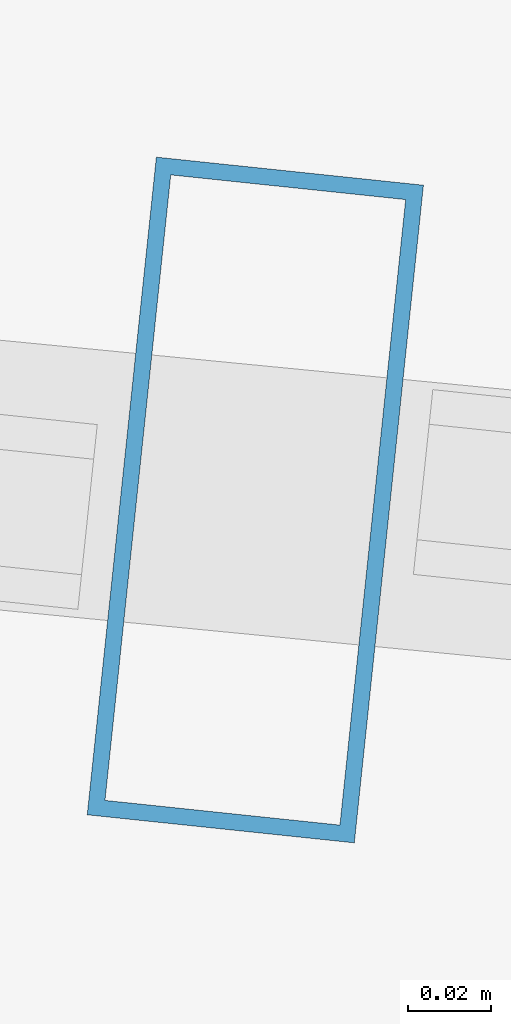
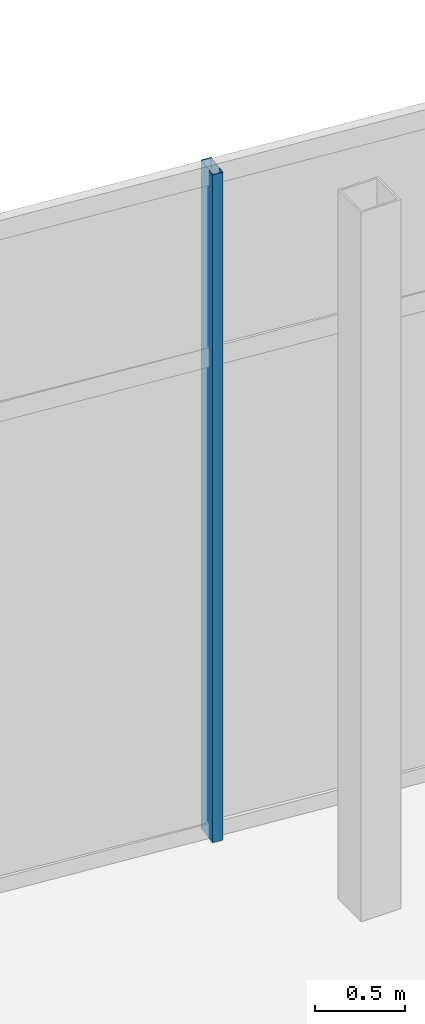
# One storey, part 97 of 157: 1 member, 1 element without a shape of its own.
"""IFC4 building model written with IfcOpenShell, lengths in metres."""

import ifcopenshell
import ifcopenshell.guid

model = None  # the IFC model being written
_history = None  # IfcOwnerHistory: only IFC2X3 demands one
_inside = {}  # id of a spatial element -> (the spatial element, [elements in it])
_under = {}  # id of a project, library or spatial element -> (it, [spatial elements below it])
_declared = {}  # id of a project -> (the project, [libraries it declares])
_typed = {}  # id of a type object -> (the type object, [elements of that type])
_made_of = {}  # id of a material, layer set ... -> (it, [elements and type objects made of it])


def new_model(schema):
    """Start an empty IFC model of exactly this schema.

    Asked for "IFC4X3", IfcOpenShell would pick the latest addendum, in which some entities
    have other attributes; the version numbers below select the first issue.
    IFC2X3 requires an IfcOwnerHistory on every rooted entity: one is made here for all.
    """
    global model, _history
    if schema == "IFC4X3":
        model = ifcopenshell.file(schema_version=(4, 3, 0, 0))
    else:
        model = ifcopenshell.file(schema=schema)
    _inside.clear()
    _under.clear()
    _declared.clear()
    _typed.clear()
    _made_of.clear()
    _history = None
    if model.schema == "IFC2X3":
        org = make("IfcOrganization", Name="unknown")
        user = make(
            "IfcPersonAndOrganization",
            ThePerson=make("IfcPerson", FamilyName="unknown"),
            TheOrganization=org,
        )
        app = make(
            "IfcApplication",
            ApplicationDeveloper=org,
            Version="unknown",
            ApplicationFullName="unknown",
            ApplicationIdentifier="unknown",
        )
        _history = make(
            "IfcOwnerHistory",
            OwningUser=user,
            OwningApplication=app,
            ChangeAction="ADDED",
            CreationDate=0,
        )
    return model


def make(cls, **values):
    """One entity of the class cls with the attributes given. An attribute that is None is left unset."""
    return model.create_entity(
        cls, **{name: value for name, value in values.items() if value is not None}
    )


def rooted(cls, **values):
    """An entity with a GlobalId (a new one), such as an element, a storey or a relation."""
    return make(cls, GlobalId=ifcopenshell.guid.new(), OwnerHistory=_history, **values)


def si_unit(unit_type, name, prefix=None):
    """IfcSIUnit, for example si_unit("LENGTHUNIT", "METRE", prefix="MILLI")."""
    return make("IfcSIUnit", UnitType=unit_type, Prefix=prefix, Name=name)


def assignment(units):
    """IfcUnitAssignment: the units of a project."""
    return None if units is None else make("IfcUnitAssignment", Units=units)


def point(xyz):
    """IfcCartesianPoint."""
    return None if xyz is None else make("IfcCartesianPoint", Coordinates=xyz)


def direction(xyz):
    """IfcDirection."""
    return None if xyz is None else make("IfcDirection", DirectionRatios=xyz)


def frame(location, z_axis=None, x_axis=None):
    """IfcAxis2Placement3D, a coordinate frame: its origin and axes. An axis left out is left unset."""
    return make(
        "IfcAxis2Placement3D",
        Location=point(location),
        Axis=direction(z_axis),
        RefDirection=direction(x_axis),
    )


def frame_2d(location, x_axis=None):
    """IfcAxis2Placement2D, a coordinate frame in the plane: its origin and x axis."""
    return make(
        "IfcAxis2Placement2D", Location=point(location), RefDirection=direction(x_axis)
    )


def origin():
    """The frame at (0, 0, 0) with its axes left unset."""
    return frame((0.0, 0.0, 0.0))


def origin_2d():
    """The frame at (0, 0) in the plane with its x axis left unset."""
    return frame_2d((0.0, 0.0))


def place(relative_to, where):
    """IfcLocalPlacement: puts the frame where relative to a parent placement (None: the world)."""
    return make(
        "IfcLocalPlacement", PlacementRelTo=relative_to, RelativePlacement=where
    )


def context(
    kind, dimensions, precision=None, world=None, true_north=None, identifier=None
):
    """IfcGeometricRepresentationContext, for example the 3D "Model" context."""
    return make(
        "IfcGeometricRepresentationContext",
        ContextIdentifier=identifier,
        ContextType=kind,
        CoordinateSpaceDimension=dimensions,
        Precision=precision,
        WorldCoordinateSystem=world,
        TrueNorth=true_north,
    )


def subcontext(parent, identifier, kind, view, scale=None):
    """IfcGeometricRepresentationSubContext, for example "Body" below "Model"."""
    return make(
        "IfcGeometricRepresentationSubContext",
        ContextIdentifier=identifier,
        ContextType=kind,
        ParentContext=parent,
        TargetScale=scale,
        TargetView=view,
    )


def project(units=None, contexts=None):
    """IfcProject with its units and contexts."""
    return rooted(
        "IfcProject",
        Name="project",
        RepresentationContexts=contexts,
        UnitsInContext=assignment(units),
    )


def spatial(cls, under=None, at=None, **own):
    """A site, building, storey or space (cls), placed at a placement, below another one or the project."""
    s = rooted(cls, ObjectPlacement=at, **own)
    if under is not None:
        _under.setdefault(under.id(), (under, []))[1].append(s)
    return s


def profile(cls, at=None, kind="AREA", **sizes):
    """A parametric profile (cls). Its sizes go by their IFC names, for example OverallWidth=200.0."""
    return make(cls, ProfileType=kind, Position=at, **sizes)


def hollow_rectangle(**sizes):
    """IfcRectangleHollowProfileDef."""
    return profile("IfcRectangleHollowProfileDef", **sizes)


def extrude(swept, where, along, depth):
    """IfcExtrudedAreaSolid: the profile swept, set in the frame where, extruded along a direction by depth."""
    return make(
        "IfcExtrudedAreaSolid",
        SweptArea=swept,
        Position=where,
        ExtrudedDirection=direction(along),
        Depth=depth,
    )


def shape(context_of_items, identifier, shape_type, items):
    """IfcShapeRepresentation: the items that make up one representation, for example the "Body"."""
    return make(
        "IfcShapeRepresentation",
        ContextOfItems=context_of_items,
        RepresentationIdentifier=identifier,
        RepresentationType=shape_type,
        Items=items,
    )


def material(Name=None, Category=None):
    """IfcMaterial."""
    return make("IfcMaterial", Name=Name, Category=Category)


def layer(
    of_material, thickness, ventilated=None, Name=None, Category=None, Priority=None
):
    """IfcMaterialLayer: one layer of a wall or slab, of a material (None: an air gap)."""
    return make(
        "IfcMaterialLayer",
        Material=of_material,
        LayerThickness=thickness,
        IsVentilated=ventilated,
        Name=Name,
        Category=Category,
        Priority=Priority,
    )


def layer_set(layers, Name=None):
    """IfcMaterialLayerSet."""
    return make("IfcMaterialLayerSet", MaterialLayers=layers, LayerSetName=Name)


def material_profile(
    of_material, cross_section, Name=None, Category=None, Priority=None
):
    """IfcMaterialProfile: a cross section and its material."""
    return make(
        "IfcMaterialProfile",
        Name=Name,
        Material=of_material,
        Profile=cross_section,
        Priority=Priority,
        Category=Category,
    )


def profile_set(profiles, Name=None, composite=None):
    """IfcMaterialProfileSet."""
    return make(
        "IfcMaterialProfileSet",
        Name=Name,
        MaterialProfiles=profiles,
        CompositeProfile=composite,
    )


def made_of(thing, what):
    """Note that an element or type object is made of a material, layer set ...; save() writes the relation."""
    if what is not None:
        _made_of.setdefault(what.id(), (what, []))[1].append(thing)
    return thing


def type_object(cls, material=None, **own):
    """A type object (cls), such as IfcWallType, which elements share."""
    return made_of(rooted(cls, **own), material)


def element(
    cls,
    number,
    at=None,
    inside=None,
    cuts=None,
    type_object=None,
    material=None,
    context=None,
    identifier="Body",
    shape_type=None,
    held_by="IfcProductDefinitionShape",
    body=None,
    shapes=None,
    **own,
):
    """One element of the class cls, such as IfcWall. Its Tag is "e" and its number.

    at: its placement. inside: the storey or other place that contains it. cuts: it is an
    opening in that element (IfcRelVoidsElement). A single representation is given by context,
    identifier, shape_type and body (its items); several are given by shapes. held_by: the class
    of the entity that holds the representations. save() writes the other relations.
    """
    e = rooted(cls, Tag="e%d" % number, ObjectPlacement=at, **own)
    if body is not None:
        shapes = [shape(context, identifier, shape_type, body)]
    if shapes is not None:
        e.Representation = make(held_by, Representations=shapes)
    if inside is not None:
        _inside.setdefault(inside.id(), (inside, []))[1].append(e)
    if cuts is not None:
        rooted(
            "IfcRelVoidsElement", RelatingBuildingElement=cuts, RelatedOpeningElement=e
        )
    if type_object is not None:
        _typed.setdefault(type_object.id(), (type_object, []))[1].append(e)
    return made_of(e, material)


def aggregate(whole, parts):
    """IfcRelAggregates: a whole, such as a stair, and the parts it consists of."""
    return rooted("IfcRelAggregates", RelatingObject=whole, RelatedObjects=parts)


def save(model, path):
    """Write the relations noted so far, then the file.

    IfcRelAggregates (storeys below a building ...), IfcRelContainedInSpatialStructure (elements
    in a storey), IfcRelDefinesByType, IfcRelAssociatesMaterial and IfcRelDeclares: one each for
    every whole, place, type object, material and project.
    """
    for whole, parts in _under.values():
        aggregate(whole, parts)
    for where, things in _inside.values():
        rooted(
            "IfcRelContainedInSpatialStructure",
            RelatedElements=things,
            RelatingStructure=where,
        )
    for kind, things in _typed.values():
        rooted("IfcRelDefinesByType", RelatedObjects=things, RelatingType=kind)
    for what, things in _made_of.values():
        rooted("IfcRelAssociatesMaterial", RelatedObjects=things, RelatingMaterial=what)
    for by, libraries in _declared.values():
        rooted("IfcRelDeclares", RelatingContext=by, RelatedDefinitions=libraries)
    model.write(path)


model = new_model("IFC4")

# Units and contexts
model_context = context("Model", 3, precision=1e-05, world=origin(), true_north=direction((0.0, 1.0)))
body_context = subcontext(model_context, "Body", "Model", "MODEL_VIEW")
ifc_project = project(units=[si_unit("LENGTHUNIT", "METRE"), si_unit("AREAUNIT", "SQUARE_METRE"), si_unit("VOLUMEUNIT", "CUBIC_METRE"), si_unit("PLANEANGLEUNIT", "RADIAN"), si_unit("MASSUNIT", "GRAM", prefix="KILO")], contexts=[model_context])

# Site, building, storey
site_placement = place(None, origin())
site = spatial("IfcSite", under=ifc_project, at=site_placement, CompositionType="ELEMENT")
building_placement = place(site_placement, origin())
building = spatial("IfcBuilding", under=site, at=building_placement, Name="Chalmorin Arch Market", CompositionType="ELEMENT")
storey_placement = place(building_placement, frame((0.0, 0.0, 4.800048828125)))
storey = spatial("IfcBuildingStorey", under=building, at=storey_placement, Name="L01", CompositionType="ELEMENT", Elevation=4.800048828125)

# Curtain wall, member
ifc_material = material(Name="Aluminium 6063-T6", Category="aluminium")
ifc_layer = layer(ifc_material, 0.159912109375)
ifc_layer_set = layer_set([ifc_layer], Name="Aluminium 6063-T6")
curtain_wall_type = type_object("IfcCurtainWallType", Name="CulinaryStudioCurtainWall-CW3-6570x4520", PredefinedType="NOTDEFINED", material=ifc_layer_set)
curtain_wall_placement = place(storey_placement, origin())
curtain_wall = element("IfcCurtainWall", 1, at=curtain_wall_placement, inside=storey, type_object=curtain_wall_type, Name="CW-03-139", PredefinedType="NOTDEFINED")
ifc_material_profile = material_profile(ifc_material, hollow_rectangle(XDim=0.06494140625, YDim=0.159912109375, WallThickness=0.00390625, at=origin_2d()), Name="ALU65X160X4")
ifc_profile_set = profile_set([ifc_material_profile], Name="Aluminium 6063-T6")
member_type = type_object("IfcMemberType", Name="CurtainWallMullion-65x160", PredefinedType="MULLION", material=ifc_profile_set)
member_placement = place(storey_placement, frame((90.58984375, 122.634033203125, 0.0), z_axis=(0.0, 0.0, 1.0), x_axis=(0.994521895368, -0.104528463268, 0.0)))
member = element("IfcMember", 2, at=member_placement, type_object=member_type, Name="ML-139-02", PredefinedType="MULLION", context=body_context, shape_type="SweptSolid", body=[
    extrude(hollow_rectangle(XDim=0.06494140625, YDim=0.159912109375, WallThickness=0.00390625, at=origin_2d()), origin(), (0.0, 0.0, 1.0), 4.52001953125),
])
aggregate(curtain_wall, [member])

save(model, "model.ifc")
